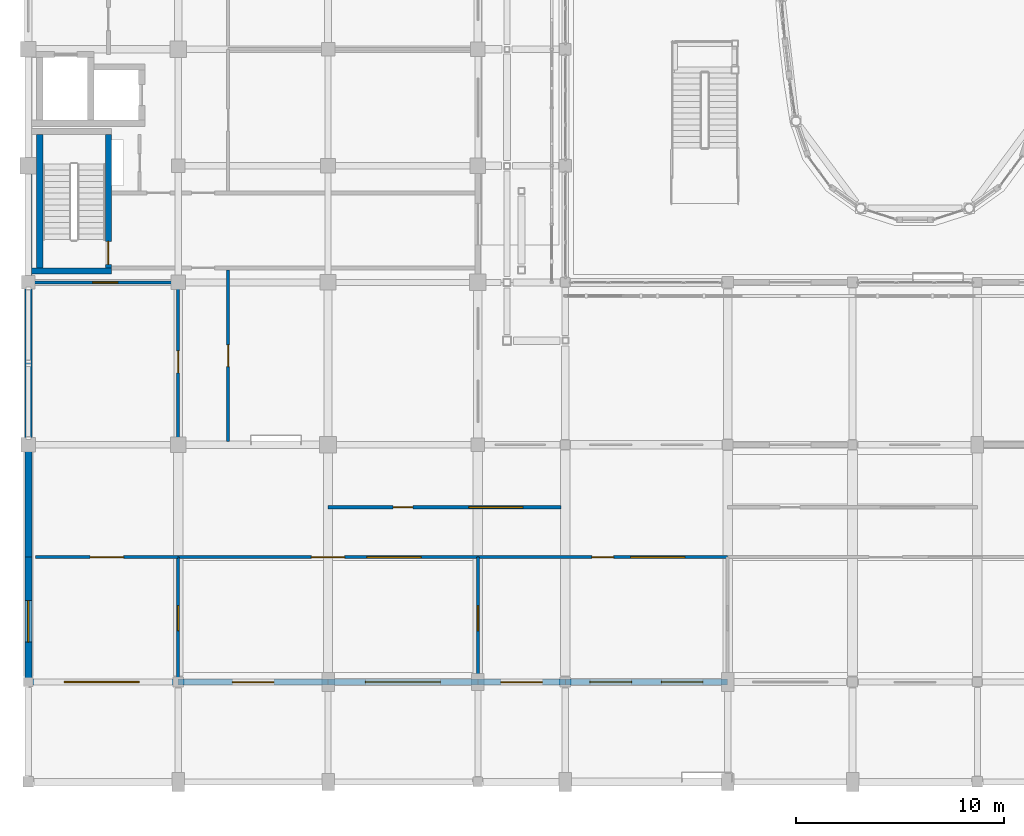
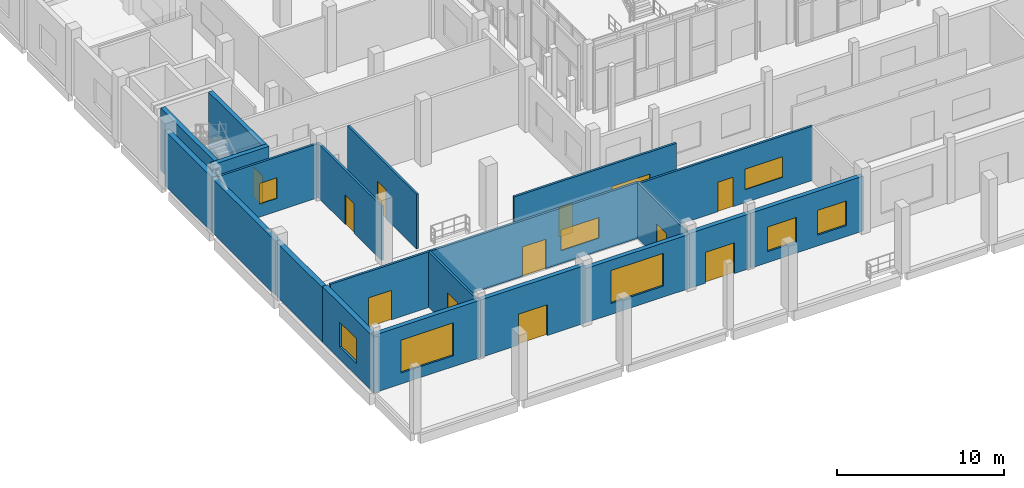
# One storey, part 65 of 91: 21 walls, 11 windows, 9 doors, 20 openings.
"""IFC4 building model written with IfcOpenShell, lengths in metres."""

from ifc_helpers import new_model, si_unit, direction, frame, frame_2d, origin, place, context, subcontext, project, spatial, rectangle, extrude, material, layer, layer_set, type_object, element, fill, save


model = new_model("IFC4")

# Units and contexts
model_context = context("Model", 3, precision=1e-05, world=origin(), true_north=direction((0.0, 1.0)))
body_context = subcontext(model_context, "Body", "Model", "MODEL_VIEW")
ifc_project = project(units=[si_unit("LENGTHUNIT", "METRE"), si_unit("AREAUNIT", "SQUARE_METRE"), si_unit("VOLUMEUNIT", "CUBIC_METRE"), si_unit("PLANEANGLEUNIT", "RADIAN"), si_unit("MASSUNIT", "GRAM", prefix="KILO")], contexts=[model_context])

# Site, building, storey
site_placement = place(None, origin())
site = spatial("IfcSite", under=ifc_project, at=site_placement, CompositionType="ELEMENT")
building_placement = place(site_placement, origin())
building = spatial("IfcBuilding", under=site, at=building_placement, Name="Vinh Khe Railworks Police Headquarters", CompositionType="ELEMENT")
storey_placement = place(building_placement, origin())
storey = spatial("IfcBuildingStorey", under=building, at=storey_placement, Name="L00", CompositionType="ELEMENT", Elevation=0.0)

# Walls
ifc_material_1 = material(Name="Concrete C40/50 (B40)", Category="concrete")
ifc_layer_1 = layer(ifc_material_1, 0.300048828125)
ifc_layer_set_1 = layer_set([ifc_layer_1], Name="Concrete C40/50 (B40)")
wall_type_1 = type_object("IfcWallType", Name="Core Shear Wall 300", PredefinedType="SHEAR", material=ifc_layer_set_1)
wall_1_placement = place(storey_placement, frame((0.75, 25.75, 0.0), z_axis=(0.0, 0.0, 1.0), x_axis=(1.0, 0.0, 0.0)))
element("IfcWall", 1, at=wall_1_placement, inside=storey, type_object=wall_type_1, Name="Core C1 STAIR-S Shear Wall (L00)", PredefinedType="SHEAR", context=body_context, shape_type="SweptSolid", body=[
    extrude(rectangle(XDim=3.85009765625, YDim=0.300048828125, at=frame_2d((1.925048828125, 0.0))), origin(), (0.0, 0.0, 1.0), 4.56005859375),
])
wall_2_placement = place(storey_placement, frame((1.14990234375, 25.89990234375, 0.0), z_axis=(0.0, 0.0, 1.0), x_axis=(0.0, 1.0, 0.0)))
element("IfcWall", 2, at=wall_2_placement, inside=storey, type_object=wall_type_1, Name="Core C1 STAIR-W Shear Wall (L00)", PredefinedType="SHEAR", context=body_context, shape_type="SweptSolid", body=[
    extrude(rectangle(XDim=6.400146484375, YDim=0.300048828125, at=frame_2d((3.2001953125, 0.0))), origin(), (0.0, 0.0, 1.0), 4.56005859375),
])

# Wall, opening, door
wall_3_placement = place(storey_placement, frame((4.449951171875, 25.89990234375, 0.0), z_axis=(0.0, 0.0, 1.0), x_axis=(0.0, 1.0, 0.0)))
wall_3 = element("IfcWall", 3, at=wall_3_placement, inside=storey, type_object=wall_type_1, Name="Core C1 STAIR-E Shear Wall (L00)", PredefinedType="SHEAR", context=body_context, shape_type="SweptSolid", body=[
    extrude(rectangle(XDim=6.400146484375, YDim=0.300048828125, at=frame_2d((3.2001953125, 0.0))), origin(), (0.0, 0.0, 1.0), 4.56005859375),
])
opening_1_placement = place(wall_3_placement, frame((0.169921875, 0.0, 0.0)))
opening_1 = element("IfcOpeningElement", 4, at=opening_1_placement, cuts=wall_3, Name="Opening FD-01", PredefinedType="OPENING", context=body_context, shape_type="SweptSolid", body=[
    extrude(rectangle(XDim=1.10009765625, YDim=2.14990234375, at=frame_2d((0.550048828125, 1.074951171875))), frame((0.0, 0.1650390625, 0.0), z_axis=(0.0, -1.0, 0.0), x_axis=(1.0, 0.0, 0.0)), (0.0, 0.0, 1.0), 0.329833984375),
])
ifc_material_2 = material(Name="Painted galvanised steel", Category="steel")
door_type_1 = type_object("IfcDoorType", Name="FD-1100x2150", OperationType="NOTDEFINED", PredefinedType="DOOR", material=ifc_material_2)
door_1_placement = place(opening_1_placement, frame((1.10009765625, 0.0, 0.0), z_axis=(0.0, 0.0, 1.0), x_axis=(-1.0, 0.0, 0.0)))
door_1 = element("IfcDoor", 5, at=door_1_placement, inside=storey, type_object=door_type_1, Name="Escape Stair ST-01 Fire Door L00", OperationType="SINGLE_SWING_LEFT", OverallHeight=2.14990234375, OverallWidth=1.10009765625, PredefinedType="DOOR", context=body_context, shape_type="SweptSolid", body=[
    extrude(rectangle(XDim=1.10009765625, YDim=2.14990234375, at=frame_2d((0.550048828125, 1.074951171875))), frame((0.0, 0.02490234375, 0.0), z_axis=(0.0, -1.0, 0.0), x_axis=(1.0, 0.0, 0.0)), (0.0, 0.0, 1.0), 0.050048828125),
])
fill(opening_1, door_1)

# Wall, opening, window
ifc_material_3 = material(Name="Clay brickwork", Category="masonry")
ifc_layer_2 = layer(ifc_material_3, 0.300048828125)
ifc_layer_set_2 = layer_set([ifc_layer_2], Name="Clay brickwork")
wall_type_2 = type_object("IfcWallType", Name="EW-BRK-300", PredefinedType="SOLIDWALL", material=ifc_layer_set_2)
wall_4_placement = place(storey_placement, frame((0.449951171875, 6.0, 0.0), z_axis=(0.0, 0.0, 1.0), x_axis=(1.0, 0.0, 0.0)))
wall_4 = element("IfcWall", 6, at=wall_4_placement, inside=storey, type_object=wall_type_2, Name="Exterior Brick Wall EW-L00-V4S-01", PredefinedType="SOLIDWALL", context=body_context, shape_type="SweptSolid", body=[
    extrude(rectangle(XDim=7.35009765625, YDim=0.300048828125, at=frame_2d((3.675048828125, 0.0))), origin(), (0.0, 0.0, 1.0), 4.205078125),
])
opening_2_placement = place(wall_4_placement, frame((1.875, 0.0, 0.800048828125)))
opening_2 = element("IfcOpeningElement", 7, at=opening_2_placement, cuts=wall_4, Name="Opening WN-06", PredefinedType="OPENING", context=body_context, shape_type="SweptSolid", body=[
    extrude(rectangle(XDim=3.60009765625, YDim=2.39990234375, at=frame_2d((1.800048828125, 1.199951171875))), frame((0.0, 0.1650390625, 0.0), z_axis=(0.0, -1.0, 0.0), x_axis=(1.0, 0.0, 0.0)), (0.0, 0.0, 1.0), 0.329833984375),
])
ifc_material_4 = material(Name="Double-glazed solar-control glass in dark steel frame", Category="steel")
window_type_1 = type_object("IfcWindowType", Name="WIN-WN-06", PartitioningType="TRIPLE_PANEL_VERTICAL", PredefinedType="WINDOW", material=ifc_material_4)
window_1_placement = place(opening_2_placement, origin())
window_1 = element("IfcWindow", 8, at=window_1_placement, inside=storey, type_object=window_type_1, Name="Casement Window WN-06", OverallHeight=2.39990234375, OverallWidth=3.60009765625, PartitioningType="SINGLE_PANEL", PredefinedType="WINDOW", context=body_context, shape_type="SweptSolid", body=[
    extrude(rectangle(XDim=3.60009765625, YDim=2.39990234375, at=frame_2d((1.800048828125, 1.199951171875))), frame((0.0, 0.030029296875, 0.0), z_axis=(0.0, -1.0, 0.0), x_axis=(1.0, 0.0, 0.0)), (0.0, 0.0, 1.0), 0.06005859375),
])
fill(opening_2, window_1)

# Wall, opening, door
wall_5_placement = place(storey_placement, frame((7.800048828125, 6.0, 0.0), z_axis=(0.0, 0.0, 1.0), x_axis=(1.0, 0.0, 0.0)))
wall_5 = element("IfcWall", 9, at=wall_5_placement, inside=storey, type_object=wall_type_2, Name="Exterior Brick Wall EW-L00-V4S-02", PredefinedType="SOLIDWALL", context=body_context, shape_type="SweptSolid", body=[
    extrude(rectangle(XDim=7.199951171875, YDim=0.300048828125, at=frame_2d((3.60009765625, 0.0))), origin(), (0.0, 0.0, 1.0), 4.205078125),
])
opening_3_placement = place(wall_5_placement, frame((2.60009765625, 0.0, 0.0)))
opening_3 = element("IfcOpeningElement", 10, at=opening_3_placement, cuts=wall_5, Name="Opening ED-01", PredefinedType="OPENING", context=body_context, shape_type="SweptSolid", body=[
    extrude(rectangle(XDim=2.0, YDim=2.25, at=frame_2d((1.0, 1.125))), frame((0.0, 0.1650390625, 0.0), z_axis=(0.0, -1.0, 0.0), x_axis=(1.0, 0.0, 0.0)), (0.0, 0.0, 1.0), 0.329833984375),
])
ifc_material_5 = material(Name="Dark anodised aluminium and laminated safety glass", Category="aluminium")
door_type_2 = type_object("IfcDoorType", Name="ED-EXIT-2000", OperationType="DOUBLE_DOOR_SINGLE_SWING", PredefinedType="DOOR", material=ifc_material_5)
door_2_placement = place(opening_3_placement, frame((2.0, 0.0, 0.0), z_axis=(0.0, 0.0, 1.0), x_axis=(-1.0, 0.0, 0.0)))
door_2 = element("IfcDoor", 11, at=door_2_placement, inside=storey, type_object=door_type_2, Name="Front Counter Public Entrance Exit Door", OperationType="DOUBLE_DOOR_SINGLE_SWING", OverallHeight=2.25, OverallWidth=2.0, PredefinedType="DOOR", context=body_context, shape_type="SweptSolid", body=[
    extrude(rectangle(XDim=2.0, YDim=2.25, at=frame_2d((1.0, 1.125))), frame((0.0, 0.02490234375, 0.0), z_axis=(0.0, -1.0, 0.0), x_axis=(1.0, 0.0, 0.0)), (0.0, 0.0, 1.0), 0.050048828125),
])
fill(opening_3, door_2)

# Wall, opening, window
wall_6_placement = place(storey_placement, frame((15.0, 6.0, 0.0), z_axis=(0.0, 0.0, 1.0), x_axis=(1.0, 0.0, 0.0)))
wall_6 = element("IfcWall", 12, at=wall_6_placement, inside=storey, type_object=wall_type_2, Name="Exterior Brick Wall EW-L00-V4S-03", PredefinedType="SOLIDWALL", context=body_context, shape_type="SweptSolid", body=[
    extrude(rectangle(XDim=7.199951171875, YDim=0.300048828125, at=frame_2d((3.60009765625, 0.0))), origin(), (0.0, 0.0, 1.0), 3.955078125),
])
opening_4_placement = place(wall_6_placement, frame((1.800048828125, 0.0, 0.800048828125)))
opening_4 = element("IfcOpeningElement", 13, at=opening_4_placement, cuts=wall_6, Name="Opening WN-06", PredefinedType="OPENING", context=body_context, shape_type="SweptSolid", body=[
    extrude(rectangle(XDim=3.60009765625, YDim=2.39990234375, at=frame_2d((1.800048828125, 1.199951171875))), frame((0.0, 0.1650390625, 0.0), z_axis=(0.0, -1.0, 0.0), x_axis=(1.0, 0.0, 0.0)), (0.0, 0.0, 1.0), 0.329833984375),
])
window_2_placement = place(opening_4_placement, origin())
window_2 = element("IfcWindow", 14, at=window_2_placement, inside=storey, type_object=window_type_1, Name="Casement Window WN-06", OverallHeight=2.39990234375, OverallWidth=3.60009765625, PartitioningType="SINGLE_PANEL", PredefinedType="WINDOW", context=body_context, shape_type="SweptSolid", body=[
    extrude(rectangle(XDim=3.60009765625, YDim=2.39990234375, at=frame_2d((1.800048828125, 1.199951171875))), frame((0.0, 0.030029296875, 0.0), z_axis=(0.0, -1.0, 0.0), x_axis=(1.0, 0.0, 0.0)), (0.0, 0.0, 1.0), 0.06005859375),
])
fill(opening_4, window_2)

# Wall, opening, door
wall_7_placement = place(storey_placement, frame((22.199951171875, 6.0, 0.0), z_axis=(0.0, 0.0, 1.0), x_axis=(1.0, 0.0, 0.0)))
wall_7 = element("IfcWall", 15, at=wall_7_placement, inside=storey, type_object=wall_type_2, Name="Exterior Brick Wall EW-L00-V4S-04", PredefinedType="SOLIDWALL", context=body_context, shape_type="SweptSolid", body=[
    extrude(rectangle(XDim=4.199951171875, YDim=0.300048828125, at=frame_2d((2.10009765625, 0.0))), origin(), (0.0, 0.0, 1.0), 4.0048828125),
])
opening_5_placement = place(wall_7_placement, frame((1.10009765625, 0.0, 0.0)))
opening_5 = element("IfcOpeningElement", 16, at=opening_5_placement, cuts=wall_7, Name="Opening ED-01", PredefinedType="OPENING", context=body_context, shape_type="SweptSolid", body=[
    extrude(rectangle(XDim=2.0, YDim=2.25, at=frame_2d((1.0, 1.125))), frame((0.0, 0.1650390625, 0.0), z_axis=(0.0, -1.0, 0.0), x_axis=(1.0, 0.0, 0.0)), (0.0, 0.0, 1.0), 0.329833984375),
])
door_3_placement = place(opening_5_placement, frame((2.0, 0.0, 0.0), z_axis=(0.0, 0.0, 1.0), x_axis=(-1.0, 0.0, 0.0)))
door_3 = element("IfcDoor", 17, at=door_3_placement, inside=storey, type_object=door_type_2, Name="Community Liaison Street Exit Door", OperationType="DOUBLE_DOOR_SINGLE_SWING", OverallHeight=2.25, OverallWidth=2.0, PredefinedType="DOOR", context=body_context, shape_type="SweptSolid", body=[
    extrude(rectangle(XDim=2.0, YDim=2.25, at=frame_2d((1.0, 1.125))), frame((0.0, 0.02490234375, 0.0), z_axis=(0.0, -1.0, 0.0), x_axis=(1.0, 0.0, 0.0)), (0.0, 0.0, 1.0), 0.050048828125),
])
fill(opening_5, door_3)

# Wall, openings, windows
wall_8_placement = place(storey_placement, frame((26.39990234375, 6.0, 0.0), z_axis=(0.0, 0.0, 1.0), x_axis=(1.0, 0.0, 0.0)))
wall_8 = element("IfcWall", 18, at=wall_8_placement, inside=storey, type_object=wall_type_2, Name="Exterior Brick Wall EW-L00-V4S-05", PredefinedType="SOLIDWALL", context=body_context, shape_type="SweptSolid", body=[
    extrude(rectangle(XDim=7.800048828125, YDim=0.300048828125, at=frame_2d((3.89990234375, 0.0))), origin(), (0.0, 0.0, 1.0), 4.0048828125),
])
opening_6_placement = place(wall_8_placement, frame((1.18408203125, 0.0, 0.800048828125)))
opening_6 = element("IfcOpeningElement", 19, at=opening_6_placement, cuts=wall_8, Name="Opening WN-04", PredefinedType="OPENING", context=body_context, shape_type="SweptSolid", body=[
    extrude(rectangle(XDim=2.0, YDim=1.800048828125, at=frame_2d((1.0, 0.89990234375))), frame((0.0, 0.1650390625, 0.0), z_axis=(0.0, -1.0, 0.0), x_axis=(1.0, 0.0, 0.0)), (0.0, 0.0, 1.0), 0.329833984375),
])
opening_7_placement = place(wall_8_placement, frame((4.615966796875, 0.0, 0.800048828125)))
opening_7 = element("IfcOpeningElement", 20, at=opening_7_placement, cuts=wall_8, Name="Opening WN-04", PredefinedType="OPENING", context=body_context, shape_type="SweptSolid", body=[
    extrude(rectangle(XDim=2.0, YDim=1.800048828125, at=frame_2d((1.0, 0.89990234375))), frame((0.0, 0.1650390625, 0.0), z_axis=(0.0, -1.0, 0.0), x_axis=(1.0, 0.0, 0.0)), (0.0, 0.0, 1.0), 0.329833984375),
])
window_type_2 = type_object("IfcWindowType", Name="WIN-WN-04", PartitioningType="DOUBLE_PANEL_VERTICAL", PredefinedType="WINDOW", material=ifc_material_4)
window_3_placement = place(opening_6_placement, origin())
window_3 = element("IfcWindow", 21, at=window_3_placement, inside=storey, type_object=window_type_2, Name="Casement Window WN-04", OverallHeight=1.800048828125, OverallWidth=2.0, PartitioningType="SINGLE_PANEL", PredefinedType="WINDOW", context=body_context, shape_type="SweptSolid", body=[
    extrude(rectangle(XDim=2.0, YDim=1.800048828125, at=frame_2d((1.0, 0.89990234375))), frame((0.0, 0.030029296875, 0.0), z_axis=(0.0, -1.0, 0.0), x_axis=(1.0, 0.0, 0.0)), (0.0, 0.0, 1.0), 0.06005859375),
])
fill(opening_6, window_3)
window_4_placement = place(opening_7_placement, origin())
window_4 = element("IfcWindow", 22, at=window_4_placement, inside=storey, type_object=window_type_2, Name="Casement Window WN-04", OverallHeight=1.800048828125, OverallWidth=2.0, PartitioningType="SINGLE_PANEL", PredefinedType="WINDOW", context=body_context, shape_type="SweptSolid", body=[
    extrude(rectangle(XDim=2.0, YDim=1.800048828125, at=frame_2d((1.0, 0.89990234375))), frame((0.0, 0.030029296875, 0.0), z_axis=(0.0, -1.0, 0.0), x_axis=(1.0, 0.0, 0.0)), (0.0, 0.0, 1.0), 0.06005859375),
])
fill(opening_7, window_4)

# Wall, opening, window
ifc_layer_3 = layer(ifc_material_3, 0.340087890625)
ifc_layer_set_3 = layer_set([ifc_layer_3], Name="Clay brickwork")
wall_type_3 = type_object("IfcWallType", Name="EW-BRK-340", PredefinedType="SOLIDWALL", material=ifc_layer_set_3)
wall_9_placement = place(storey_placement, frame((0.60009765625, 5.830078125, 0.0), z_axis=(0.0, 0.0, 1.0), x_axis=(0.0, 1.0, 0.0)))
wall_9 = element("IfcWall", 23, at=wall_9_placement, inside=storey, type_object=wall_type_3, Name="Exterior Brick Wall EW-L00-V4W-01", PredefinedType="SOLIDWALL", context=body_context, shape_type="SweptSolid", body=[
    extrude(rectangle(XDim=6.169921875, YDim=0.340087890625, at=frame_2d((3.0849609375, 0.0))), origin(), (0.0, 0.0, 1.0), 4.054931640625),
])
opening_8_placement = place(wall_9_placement, frame((2.0849609375, 0.0, 0.89990234375)))
opening_8 = element("IfcOpeningElement", 24, at=opening_8_placement, cuts=wall_9, Name="Opening WN-04", PredefinedType="OPENING", context=body_context, shape_type="SweptSolid", body=[
    extrude(rectangle(XDim=2.0, YDim=1.800048828125, at=frame_2d((1.0, 0.89990234375))), frame((0.0, 0.18505859375, 0.0), z_axis=(0.0, -1.0, 0.0), x_axis=(1.0, 0.0, 0.0)), (0.0, 0.0, 1.0), 0.369873046875),
])
window_5_placement = place(opening_8_placement, origin())
window_5 = element("IfcWindow", 25, at=window_5_placement, inside=storey, type_object=window_type_2, Name="Casement Window WN-04", OverallHeight=1.800048828125, OverallWidth=2.0, PartitioningType="SINGLE_PANEL", PredefinedType="WINDOW", context=body_context, shape_type="SweptSolid", body=[
    extrude(rectangle(XDim=2.0, YDim=1.800048828125, at=frame_2d((1.0, 0.89990234375))), frame((0.0, 0.030029296875, 0.0), z_axis=(0.0, -1.0, 0.0), x_axis=(1.0, 0.0, 0.0)), (0.0, 0.0, 1.0), 0.06005859375),
])
fill(opening_8, window_5)

# Walls
wall_10_placement = place(storey_placement, frame((0.60009765625, 12.0, 0.0), z_axis=(0.0, 0.0, 1.0), x_axis=(0.0, 1.0, 0.0)))
element("IfcWall", 26, at=wall_10_placement, inside=storey, type_object=wall_type_3, Name="Exterior Brick Wall EW-L00-V4W-02", PredefinedType="SOLIDWALL", context=body_context, shape_type="SweptSolid", body=[
    extrude(rectangle(XDim=5.570068359375, YDim=0.340087890625, at=frame_2d((2.78515625, 0.0))), origin(), (0.0, 0.0, 1.0), 3.955078125),
])
wall_11_placement = place(storey_placement, frame((0.60009765625, 17.22998046875, 0.0), z_axis=(0.0, 0.0, 1.0), x_axis=(0.0, 1.0, 0.0)))
element("IfcWall", 27, at=wall_11_placement, inside=storey, type_object=wall_type_3, Name="Exterior Brick Wall EW-L00-V5W-01", PredefinedType="SOLIDWALL", context=body_context, shape_type="SweptSolid", body=[
    extrude(rectangle(XDim=7.969970703125, YDim=0.340087890625, at=frame_2d((3.98486328125, 0.0))), origin(), (0.0, 0.0, 1.0), 3.955078125),
])
wall_12_placement = place(storey_placement, frame((0.60009765625, 25.199951171875, 0.0), z_axis=(0.0, 0.0, 1.0), x_axis=(0.0, 1.0, 0.0)))
element("IfcWall", 28, at=wall_12_placement, inside=storey, type_object=wall_type_3, Name="Exterior Brick Wall EW-L00-V5W-02", PredefinedType="SOLIDWALL", context=body_context, shape_type="SweptSolid", body=[
    extrude(rectangle(XDim=5.60009765625, YDim=0.340087890625, at=frame_2d((2.800048828125, 0.0))), origin(), (0.0, 0.0, 1.0), 4.0048828125),
])

# Wall, opening, window
ifc_material_6 = material(Name="Gypsum plasterboard on steel stud", Category="steel")
ifc_layer_4 = layer(ifc_material_6, 0.1201171875)
ifc_layer_set_4 = layer_set([ifc_layer_4], Name="Gypsum plasterboard on steel stud")
wall_type_4 = type_object("IfcWallType", Name="IW-PART-120", PredefinedType="PARTITIONING", material=ifc_layer_set_4)
wall_13_placement = place(storey_placement, frame((7.800048828125, 6.139892578125, 0.0), z_axis=(0.0, 0.0, 1.0), x_axis=(0.0, 1.0, 0.0)))
wall_13 = element("IfcWall", 29, at=wall_13_placement, inside=storey, type_object=wall_type_4, Name="Interior Partition W-L00-V4-FCNT-W", PredefinedType="PARTITIONING", context=body_context, shape_type="SweptSolid", body=[
    extrude(rectangle(XDim=5.860107421875, YDim=0.14990234375, at=frame_2d((2.93017578125, 0.0))), origin(), (0.0, 0.0, 1.0), 4.054931640625),
])
opening_9_placement = place(wall_13_placement, frame((2.330078125, 0.0, 0.949951171875)))
opening_9 = element("IfcOpeningElement", 30, at=opening_9_placement, cuts=wall_13, Name="Opening WN-10", PredefinedType="OPENING", context=body_context, shape_type="SweptSolid", body=[
    extrude(rectangle(XDim=1.199951171875, YDim=1.5, at=frame_2d((0.60009765625, 0.75))), frame((0.0, 0.08984375, 0.0), z_axis=(0.0, -1.0, 0.0), x_axis=(1.0, 0.0, 0.0)), (0.0, 0.0, 1.0), 0.1796875),
])
window_type_3 = type_object("IfcWindowType", Name="WIN-WN-10", PartitioningType="SINGLE_PANEL", PredefinedType="WINDOW", material=ifc_material_4)
window_6_placement = place(opening_9_placement, origin())
window_6 = element("IfcWindow", 31, at=window_6_placement, inside=storey, type_object=window_type_3, Name="Interior Acoustic Vision Window WN-10", OverallHeight=1.5, OverallWidth=1.199951171875, PartitioningType="SINGLE_PANEL", PredefinedType="WINDOW", context=body_context, shape_type="SweptSolid", body=[
    extrude(rectangle(XDim=1.199951171875, YDim=1.5, at=frame_2d((0.60009765625, 0.75))), frame((0.0, 0.030029296875, 0.0), z_axis=(0.0, -1.0, 0.0), x_axis=(1.0, 0.0, 0.0)), (0.0, 0.0, 1.0), 0.06005859375),
])
fill(opening_9, window_6)

wall_14_placement = place(storey_placement, frame((22.199951171875, 6.139892578125, 0.0), z_axis=(0.0, 0.0, 1.0), x_axis=(0.0, 1.0, 0.0)))
wall_14 = element("IfcWall", 32, at=wall_14_placement, inside=storey, type_object=wall_type_4, Name="Interior Partition W-L00-V4-CLIA-W", PredefinedType="PARTITIONING", context=body_context, shape_type="SweptSolid", body=[
    extrude(rectangle(XDim=5.860107421875, YDim=0.14990234375, at=frame_2d((2.93017578125, 0.0))), origin(), (0.0, 0.0, 1.0), 4.054931640625),
])
opening_10_placement = place(wall_14_placement, frame((2.330078125, 0.0, 0.949951171875)))
opening_10 = element("IfcOpeningElement", 33, at=opening_10_placement, cuts=wall_14, Name="Opening WN-10", PredefinedType="OPENING", context=body_context, shape_type="SweptSolid", body=[
    extrude(rectangle(XDim=1.199951171875, YDim=1.5, at=frame_2d((0.60009765625, 0.75))), frame((0.0, 0.08984375, 0.0), z_axis=(0.0, -1.0, 0.0), x_axis=(1.0, 0.0, 0.0)), (0.0, 0.0, 1.0), 0.1796875),
])
window_7_placement = place(opening_10_placement, origin())
window_7 = element("IfcWindow", 34, at=window_7_placement, inside=storey, type_object=window_type_3, Name="Interior Acoustic Vision Window WN-10", OverallHeight=1.5, OverallWidth=1.199951171875, PartitioningType="SINGLE_PANEL", PredefinedType="WINDOW", context=body_context, shape_type="SweptSolid", body=[
    extrude(rectangle(XDim=1.199951171875, YDim=1.5, at=frame_2d((0.60009765625, 0.75))), frame((0.0, 0.030029296875, 0.0), z_axis=(0.0, -1.0, 0.0), x_axis=(1.0, 0.0, 0.0)), (0.0, 0.0, 1.0), 0.06005859375),
])
fill(opening_10, window_7)

wall_15_placement = place(storey_placement, frame((0.780029296875, 25.199951171875, 0.0), z_axis=(0.0, 0.0, 1.0), x_axis=(1.0, 0.0, 0.0)))
wall_15 = element("IfcWall", 35, at=wall_15_placement, inside=storey, type_object=wall_type_4, Name="Interior Partition W-L00-V5-GUARD-ENDN", PredefinedType="PARTITIONING", context=body_context, shape_type="SweptSolid", body=[
    extrude(rectangle(XDim=7.02001953125, YDim=0.14990234375, at=frame_2d((3.510009765625, 0.0))), origin(), (0.0, 0.0, 1.0), 3.955078125),
])
opening_11_placement = place(wall_15_placement, frame((2.909912109375, 0.0, 0.949951171875)))
opening_11 = element("IfcOpeningElement", 36, at=opening_11_placement, cuts=wall_15, Name="Opening WN-10", PredefinedType="OPENING", context=body_context, shape_type="SweptSolid", body=[
    extrude(rectangle(XDim=1.199951171875, YDim=1.5, at=frame_2d((0.60009765625, 0.75))), frame((0.0, 0.08984375, 0.0), z_axis=(0.0, -1.0, 0.0), x_axis=(1.0, 0.0, 0.0)), (0.0, 0.0, 1.0), 0.1796875),
])
window_8_placement = place(opening_11_placement, origin())
window_8 = element("IfcWindow", 37, at=window_8_placement, inside=storey, type_object=window_type_3, Name="Interior Acoustic Vision Window WN-10", OverallHeight=1.5, OverallWidth=1.199951171875, PartitioningType="SINGLE_PANEL", PredefinedType="WINDOW", context=body_context, shape_type="SweptSolid", body=[
    extrude(rectangle(XDim=1.199951171875, YDim=1.5, at=frame_2d((0.60009765625, 0.75))), frame((0.0, 0.030029296875, 0.0), z_axis=(0.0, -1.0, 0.0), x_axis=(1.0, 0.0, 0.0)), (0.0, 0.0, 1.0), 0.06005859375),
])
fill(opening_11, window_8)

# Wall, opening, door
ifc_material_7 = material(Name="Gypsum plasterboard on acoustic steel stud", Category="steel")
ifc_layer_5 = layer(ifc_material_7, 0.14990234375)
ifc_layer_set_5 = layer_set([ifc_layer_5], Name="Gypsum plasterboard on acoustic steel stud")
wall_type_5 = type_object("IfcWallType", Name="IW-PART-150", PredefinedType="PARTITIONING", material=ifc_layer_set_5)
wall_16_placement = place(storey_placement, frame((0.949951171875, 12.0, 0.0), z_axis=(0.0, 0.0, 1.0), x_axis=(1.0, 0.0, 0.0)))
wall_16 = element("IfcWall", 38, at=wall_16_placement, inside=storey, type_object=wall_type_5, Name="Interior Partition W-L00-V4-WAIT-N", PredefinedType="PARTITIONING", context=body_context, shape_type="SweptSolid", body=[
    extrude(rectangle(XDim=6.85009765625, YDim=0.14990234375, at=frame_2d((3.425048828125, 0.0))), origin(), (0.0, 0.0, 1.0), 4.054931640625),
])
opening_12_placement = place(wall_16_placement, frame((2.625, 0.0, 0.0)))
opening_12 = element("IfcOpeningElement", 39, at=opening_12_placement, cuts=wall_16, Name="Opening D-03", PredefinedType="OPENING", context=body_context, shape_type="SweptSolid", body=[
    extrude(rectangle(XDim=1.60009765625, YDim=2.14990234375, at=frame_2d((0.800048828125, 1.074951171875))), frame((0.0, 0.08984375, 0.0), z_axis=(0.0, -1.0, 0.0), x_axis=(1.0, 0.0, 0.0)), (0.0, 0.0, 1.0), 0.1796875),
])
door_type_3 = type_object("IfcDoorType", Name="ID-1600x2150", OperationType="DOUBLE_DOOR_SINGLE_SWING", PredefinedType="DOOR", material=ifc_material_2)
door_4_placement = place(opening_12_placement, origin())
door_4 = element("IfcDoor", 40, at=door_4_placement, inside=storey, type_object=door_type_3, Name="Public Waiting Area Door", OperationType="DOUBLE_DOOR_SINGLE_SWING", OverallHeight=2.14990234375, OverallWidth=1.60009765625, PredefinedType="DOOR", context=body_context, shape_type="SweptSolid", body=[
    extrude(rectangle(XDim=1.60009765625, YDim=2.14990234375, at=frame_2d((0.800048828125, 1.074951171875))), frame((0.0, 0.02490234375, 0.0), z_axis=(0.0, -1.0, 0.0), x_axis=(1.0, 0.0, 0.0)), (0.0, 0.0, 1.0), 0.050048828125),
])
fill(opening_12, door_4)

# Wall, openings, door, window
wall_17_placement = place(storey_placement, frame((7.800048828125, 12.0, 0.0), z_axis=(0.0, 0.0, 1.0), x_axis=(1.0, 0.0, 0.0)))
wall_17 = element("IfcWall", 41, at=wall_17_placement, inside=storey, type_object=wall_type_5, Name="Interior Partition W-L00-V4-FCNT-N", PredefinedType="PARTITIONING", context=body_context, shape_type="SweptSolid", body=[
    extrude(rectangle(XDim=14.39990234375, YDim=0.14990234375, at=frame_2d((7.199951171875, 0.0))), origin(), (0.0, 0.0, 1.0), 4.054931640625),
])
opening_13_placement = place(wall_17_placement, frame((6.39990234375, 0.0, 0.0)))
opening_13 = element("IfcOpeningElement", 42, at=opening_13_placement, cuts=wall_17, Name="Opening D-03", PredefinedType="OPENING", context=body_context, shape_type="SweptSolid", body=[
    extrude(rectangle(XDim=1.60009765625, YDim=2.14990234375, at=frame_2d((0.800048828125, 1.074951171875))), frame((0.0, 0.08984375, 0.0), z_axis=(0.0, -1.0, 0.0), x_axis=(1.0, 0.0, 0.0)), (0.0, 0.0, 1.0), 0.1796875),
])
opening_14_placement = place(wall_17_placement, frame((9.068115234375, 0.0, 0.949951171875)))
opening_14 = element("IfcOpeningElement", 43, at=opening_14_placement, cuts=wall_17, Name="Opening WN-07", PredefinedType="OPENING", context=body_context, shape_type="SweptSolid", body=[
    extrude(rectangle(XDim=2.60009765625, YDim=1.5, at=frame_2d((1.300048828125, 0.75))), frame((0.0, 0.08984375, 0.0), z_axis=(0.0, -1.0, 0.0), x_axis=(1.0, 0.0, 0.0)), (0.0, 0.0, 1.0), 0.1796875),
])
door_5_placement = place(opening_13_placement, origin())
door_5 = element("IfcDoor", 44, at=door_5_placement, inside=storey, type_object=door_type_3, Name="Front Counter Door", OperationType="DOUBLE_DOOR_SINGLE_SWING", OverallHeight=2.14990234375, OverallWidth=1.60009765625, PredefinedType="DOOR", context=body_context, shape_type="SweptSolid", body=[
    extrude(rectangle(XDim=1.60009765625, YDim=2.14990234375, at=frame_2d((0.800048828125, 1.074951171875))), frame((0.0, 0.02490234375, 0.0), z_axis=(0.0, -1.0, 0.0), x_axis=(1.0, 0.0, 0.0)), (0.0, 0.0, 1.0), 0.050048828125),
])
fill(opening_13, door_5)
window_type_4 = type_object("IfcWindowType", Name="WIN-WN-07", PartitioningType="DOUBLE_PANEL_HORIZONTAL", PredefinedType="WINDOW", material=ifc_material_4)
window_9_placement = place(opening_14_placement, origin())
window_9 = element("IfcWindow", 45, at=window_9_placement, inside=storey, type_object=window_type_4, Name="Interior Acoustic Vision Window WN-07", OverallHeight=1.5, OverallWidth=2.60009765625, PartitioningType="SINGLE_PANEL", PredefinedType="WINDOW", context=body_context, shape_type="SweptSolid", body=[
    extrude(rectangle(XDim=2.60009765625, YDim=1.5, at=frame_2d((1.300048828125, 0.75))), frame((0.0, 0.030029296875, 0.0), z_axis=(0.0, -1.0, 0.0), x_axis=(1.0, 0.0, 0.0)), (0.0, 0.0, 1.0), 0.06005859375),
])
fill(opening_14, window_9)

wall_18_placement = place(storey_placement, frame((22.199951171875, 12.0, 0.0), z_axis=(0.0, 0.0, 1.0), x_axis=(1.0, 0.0, 0.0)))
wall_18 = element("IfcWall", 46, at=wall_18_placement, inside=storey, type_object=wall_type_5, Name="Interior Partition W-L00-V4-CLIA-N", PredefinedType="PARTITIONING", context=body_context, shape_type="SweptSolid", body=[
    extrude(rectangle(XDim=12.0, YDim=0.14990234375, at=frame_2d((6.0, 0.0))), origin(), (0.0, 0.0, 1.0), 3.965087890625),
])
opening_15_placement = place(wall_18_placement, frame((5.47509765625, 0.0, 0.0)))
opening_15 = element("IfcOpeningElement", 47, at=opening_15_placement, cuts=wall_18, Name="Opening D-02", PredefinedType="OPENING", context=body_context, shape_type="SweptSolid", body=[
    extrude(rectangle(XDim=1.050048828125, YDim=2.14990234375, at=frame_2d((0.52490234375, 1.074951171875))), frame((0.0, 0.08984375, 0.0), z_axis=(0.0, -1.0, 0.0), x_axis=(1.0, 0.0, 0.0)), (0.0, 0.0, 1.0), 0.1796875),
])
opening_16_placement = place(wall_18_placement, frame((7.340087890625, 0.0, 0.949951171875)))
opening_16 = element("IfcOpeningElement", 48, at=opening_16_placement, cuts=wall_18, Name="Opening WN-07", PredefinedType="OPENING", context=body_context, shape_type="SweptSolid", body=[
    extrude(rectangle(XDim=2.60009765625, YDim=1.5, at=frame_2d((1.300048828125, 0.75))), frame((0.0, 0.08984375, 0.0), z_axis=(0.0, -1.0, 0.0), x_axis=(1.0, 0.0, 0.0)), (0.0, 0.0, 1.0), 0.1796875),
])
ifc_material_8 = material(Name="Seasoned hardwood timber", Category="wood")
door_type_4 = type_object("IfcDoorType", Name="ID-1050x2150", OperationType="NOTDEFINED", PredefinedType="DOOR", material=ifc_material_8)
door_6_placement = place(opening_15_placement, origin())
door_6 = element("IfcDoor", 49, at=door_6_placement, inside=storey, type_object=door_type_4, Name="Community Liaison Room Door", OperationType="SINGLE_SWING_RIGHT", OverallHeight=2.14990234375, OverallWidth=1.050048828125, PredefinedType="DOOR", context=body_context, shape_type="SweptSolid", body=[
    extrude(rectangle(XDim=1.050048828125, YDim=2.14990234375, at=frame_2d((0.52490234375, 1.074951171875))), frame((0.0, 0.02490234375, 0.0), z_axis=(0.0, -1.0, 0.0), x_axis=(1.0, 0.0, 0.0)), (0.0, 0.0, 1.0), 0.050048828125),
])
fill(opening_15, door_6)
window_10_placement = place(opening_16_placement, origin())
window_10 = element("IfcWindow", 50, at=window_10_placement, inside=storey, type_object=window_type_4, Name="Interior Acoustic Vision Window WN-07", OverallHeight=1.5, OverallWidth=2.60009765625, PartitioningType="SINGLE_PANEL", PredefinedType="WINDOW", context=body_context, shape_type="SweptSolid", body=[
    extrude(rectangle(XDim=2.60009765625, YDim=1.5, at=frame_2d((1.300048828125, 0.75))), frame((0.0, 0.030029296875, 0.0), z_axis=(0.0, -1.0, 0.0), x_axis=(1.0, 0.0, 0.0)), (0.0, 0.0, 1.0), 0.06005859375),
])
fill(opening_16, window_10)

wall_19_placement = place(storey_placement, frame((15.0, 14.39990234375, 0.0), z_axis=(0.0, 0.0, 1.0), x_axis=(1.0, 0.0, 0.0)))
wall_19 = element("IfcWall", 51, at=wall_19_placement, inside=storey, type_object=wall_type_5, Name="Interior Partition W-L00-V4-REC", PredefinedType="PARTITIONING", context=body_context, shape_type="SweptSolid", body=[
    extrude(rectangle(XDim=11.199951171875, YDim=0.14990234375, at=frame_2d((5.60009765625, 0.0))), origin(), (0.0, 0.0, 1.0), 4.054931640625),
])
opening_17_placement = place(wall_19_placement, frame((3.125, 0.0, 0.0)))
opening_17 = element("IfcOpeningElement", 52, at=opening_17_placement, cuts=wall_19, Name="Opening D-01", PredefinedType="OPENING", context=body_context, shape_type="SweptSolid", body=[
    extrude(rectangle(XDim=0.949951171875, YDim=2.14990234375, at=frame_2d((0.47509765625, 1.074951171875))), frame((0.0, 0.08984375, 0.0), z_axis=(0.0, -1.0, 0.0), x_axis=(1.0, 0.0, 0.0)), (0.0, 0.0, 1.0), 0.1796875),
])
opening_18_placement = place(wall_19_placement, frame((6.763916015625, 0.0, 0.949951171875)))
opening_18 = element("IfcOpeningElement", 53, at=opening_18_placement, cuts=wall_19, Name="Opening WN-07", PredefinedType="OPENING", context=body_context, shape_type="SweptSolid", body=[
    extrude(rectangle(XDim=2.60009765625, YDim=1.5, at=frame_2d((1.300048828125, 0.75))), frame((0.0, 0.08984375, 0.0), z_axis=(0.0, -1.0, 0.0), x_axis=(1.0, 0.0, 0.0)), (0.0, 0.0, 1.0), 0.1796875),
])
door_type_5 = type_object("IfcDoorType", Name="ID-950x2150", OperationType="NOTDEFINED", PredefinedType="DOOR", material=ifc_material_8)
door_7_placement = place(opening_17_placement, origin())
door_7 = element("IfcDoor", 54, at=door_7_placement, inside=storey, type_object=door_type_5, Name="Interview Room Door", OperationType="SINGLE_SWING_RIGHT", OverallHeight=2.14990234375, OverallWidth=0.949951171875, PredefinedType="DOOR", context=body_context, shape_type="SweptSolid", body=[
    extrude(rectangle(XDim=0.949951171875, YDim=2.14990234375, at=frame_2d((0.47509765625, 1.074951171875))), frame((0.0, 0.02490234375, 0.0), z_axis=(0.0, -1.0, 0.0), x_axis=(1.0, 0.0, 0.0)), (0.0, 0.0, 1.0), 0.050048828125),
])
fill(opening_17, door_7)
window_11_placement = place(opening_18_placement, origin())
window_11 = element("IfcWindow", 55, at=window_11_placement, inside=storey, type_object=window_type_4, Name="Interior Acoustic Vision Window WN-07", OverallHeight=1.5, OverallWidth=2.60009765625, PartitioningType="SINGLE_PANEL", PredefinedType="WINDOW", context=body_context, shape_type="SweptSolid", body=[
    extrude(rectangle(XDim=2.60009765625, YDim=1.5, at=frame_2d((1.300048828125, 0.75))), frame((0.0, 0.030029296875, 0.0), z_axis=(0.0, -1.0, 0.0), x_axis=(1.0, 0.0, 0.0)), (0.0, 0.0, 1.0), 0.06005859375),
])
fill(opening_18, window_11)

# Wall, opening, door
wall_20_placement = place(storey_placement, frame((7.800048828125, 17.56005859375, 0.0), z_axis=(0.0, 0.0, 1.0), x_axis=(0.0, 1.0, 0.0)))
wall_20 = element("IfcWall", 56, at=wall_20_placement, inside=storey, type_object=wall_type_5, Name="Interior Partition W-L00-V5-GUARD-CW", PredefinedType="PARTITIONING", context=body_context, shape_type="SweptSolid", body=[
    extrude(rectangle(XDim=7.639892578125, YDim=0.14990234375, at=frame_2d((3.81982421875, 0.0))), origin(), (0.0, 0.0, 1.0), 3.955078125),
])
opening_19_placement = place(wall_20_placement, frame((3.294921875, 0.0, 0.0)))
opening_19 = element("IfcOpeningElement", 57, at=opening_19_placement, cuts=wall_20, Name="Opening D-02", PredefinedType="OPENING", context=body_context, shape_type="SweptSolid", body=[
    extrude(rectangle(XDim=1.050048828125, YDim=2.14990234375, at=frame_2d((0.52490234375, 1.074951171875))), frame((0.0, 0.08984375, 0.0), z_axis=(0.0, -1.0, 0.0), x_axis=(1.0, 0.0, 0.0)), (0.0, 0.0, 1.0), 0.1796875),
])
door_8_placement = place(opening_19_placement, origin())
door_8 = element("IfcDoor", 58, at=door_8_placement, inside=storey, type_object=door_type_4, Name="Station Guard Duty Watch Room Door", OperationType="SINGLE_SWING_LEFT", OverallHeight=2.14990234375, OverallWidth=1.050048828125, PredefinedType="DOOR", context=body_context, shape_type="SweptSolid", body=[
    extrude(rectangle(XDim=1.050048828125, YDim=2.14990234375, at=frame_2d((0.52490234375, 1.074951171875))), frame((0.0, 0.02490234375, 0.0), z_axis=(0.0, -1.0, 0.0), x_axis=(1.0, 0.0, 0.0)), (0.0, 0.0, 1.0), 0.050048828125),
])
fill(opening_19, door_8)

wall_21_placement = place(storey_placement, frame((10.199951171875, 17.56005859375, 0.0), z_axis=(0.0, 0.0, 1.0), x_axis=(0.0, 1.0, 0.0)))
wall_21 = element("IfcWall", 59, at=wall_21_placement, inside=storey, type_object=wall_type_5, Name="Interior Partition W-L00-V5-INTAKE1-CE", PredefinedType="PARTITIONING", context=body_context, shape_type="SweptSolid", body=[
    extrude(rectangle(XDim=8.239990234375, YDim=0.14990234375, at=frame_2d((4.1201171875, 0.0))), origin(), (0.0, 0.0, 1.0), 4.0048828125),
])
opening_20_placement = place(wall_21_placement, frame((3.594970703125, 0.0, 0.0)))
opening_20 = element("IfcOpeningElement", 60, at=opening_20_placement, cuts=wall_21, Name="Opening D-02", PredefinedType="OPENING", context=body_context, shape_type="SweptSolid", body=[
    extrude(rectangle(XDim=1.050048828125, YDim=2.14990234375, at=frame_2d((0.52490234375, 1.074951171875))), frame((0.0, 0.08984375, 0.0), z_axis=(0.0, -1.0, 0.0), x_axis=(1.0, 0.0, 0.0)), (0.0, 0.0, 1.0), 0.1796875),
])
door_9_placement = place(opening_20_placement, origin())
door_9 = element("IfcDoor", 61, at=door_9_placement, inside=storey, type_object=door_type_4, Name="Public Petition Reception South Door", OperationType="SINGLE_SWING_LEFT", OverallHeight=2.14990234375, OverallWidth=1.050048828125, PredefinedType="DOOR", context=body_context, shape_type="SweptSolid", body=[
    extrude(rectangle(XDim=1.050048828125, YDim=2.14990234375, at=frame_2d((0.52490234375, 1.074951171875))), frame((0.0, 0.02490234375, 0.0), z_axis=(0.0, -1.0, 0.0), x_axis=(1.0, 0.0, 0.0)), (0.0, 0.0, 1.0), 0.050048828125),
])
fill(opening_20, door_9)

save(model, "model.ifc")
